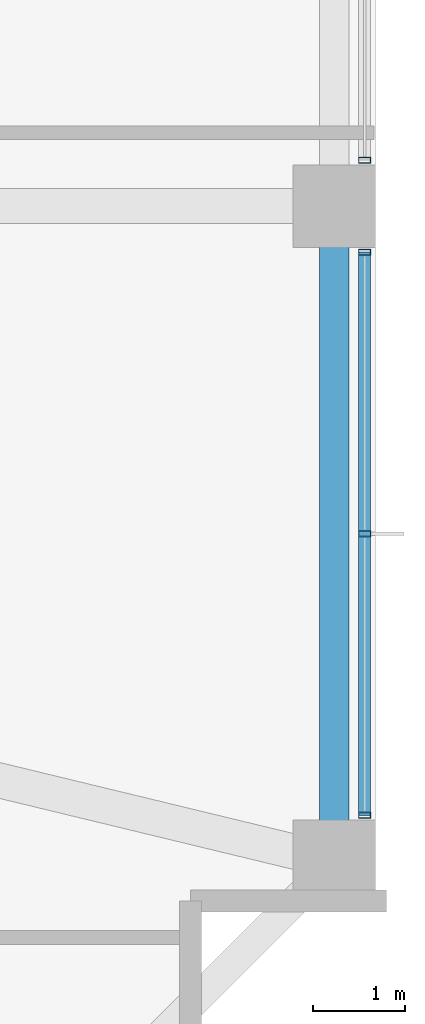
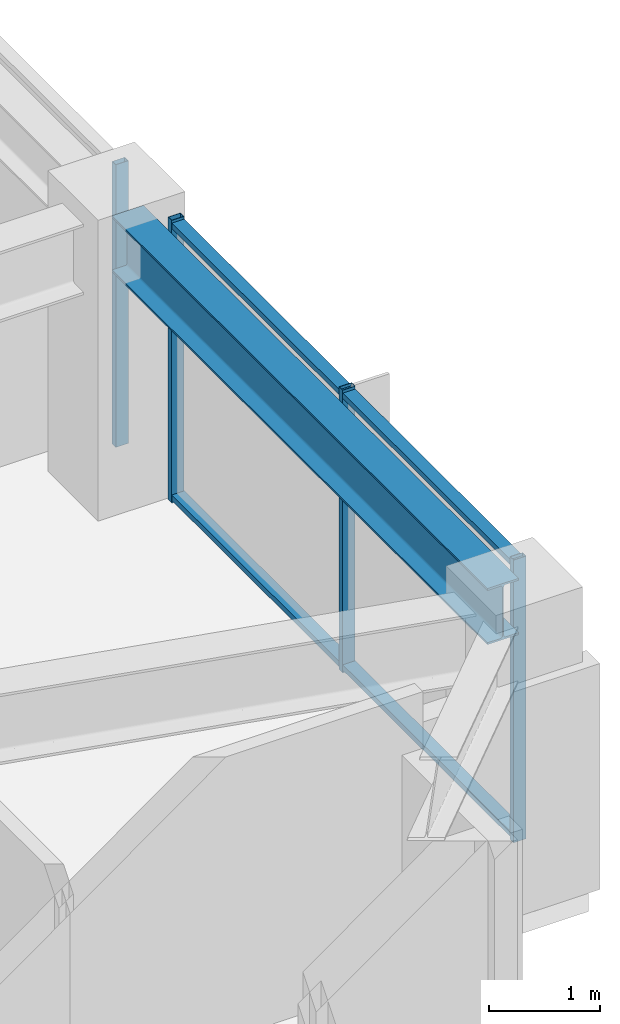
# One storey, part 13 of 31: 6 members, 1 beam, 2 elements without a shape of their own.
"""IFC4 building model written with IfcOpenShell, lengths in metres."""

from ifc_helpers import new_model, si_unit, direction, frame, origin, origin_2d, place, context, subcontext, project, spatial, hollow_rectangle, i_section, extrude, material, material_profile, profile_set, type_object, element, aggregate, save


model = new_model("IFC4")

# Units and contexts
model_context = context("Model", 3, precision=1e-05, world=origin(), true_north=direction((0.0, 1.0)))
body_context = subcontext(model_context, "Body", "Model", "MODEL_VIEW")
ifc_project = project(units=[si_unit("LENGTHUNIT", "METRE"), si_unit("AREAUNIT", "SQUARE_METRE"), si_unit("VOLUMEUNIT", "CUBIC_METRE"), si_unit("PLANEANGLEUNIT", "RADIAN"), si_unit("MASSUNIT", "GRAM", prefix="KILO")], contexts=[model_context])

# Site, building, storey
site_placement = place(None, origin())
site = spatial("IfcSite", under=ifc_project, at=site_placement, CompositionType="ELEMENT")
building_placement = place(site_placement, origin())
building = spatial("IfcBuilding", under=site, at=building_placement, Name="Kolvaren Belvedere", CompositionType="ELEMENT")
storey_placement = place(building_placement, frame((0.0, 0.0, 134.89990234375)))
storey = spatial("IfcBuildingStorey", under=building, at=storey_placement, Name="L39", CompositionType="ELEMENT", Elevation=134.89990234375)

# Beam
ifc_material_1 = material(Name="Structural steel ASTM A992 Grade 50", Category="steel")
ifc_material_profile_1 = material_profile(ifc_material_1, i_section(OverallWidth=0.324951171875, OverallDepth=0.615966796875, WebThickness=0.013916015625, FlangeThickness=0.021484375, FilletRadius=0.02001953125, at=origin_2d()), Name="W24X117")
ifc_profile_set_1 = profile_set([ifc_material_profile_1], Name="Structural steel ASTM A992 Grade 50")
beam_type = type_object("IfcBeamType", Name="BM-SPAN-W24X117", PredefinedType="SPANDREL", material=ifc_profile_set_1)
beam_placement = place(storey_placement, frame((17.550048828125, -11.547607421875, 2.7919921875), z_axis=(0.0, 1.0, 0.0), x_axis=(-1.0, 0.0, 0.0)))
element("IfcBeam", 1, at=beam_placement, inside=storey, type_object=beam_type, Name="L39 Perimeter Spandrel E1-E2", PredefinedType="SPANDREL", context=body_context, shape_type="SweptSolid", body=[
    extrude(i_section(OverallWidth=0.324951171875, OverallDepth=0.615966796875, WebThickness=0.013916015625, FlangeThickness=0.021484375, FilletRadius=0.02001953125, at=origin_2d()), origin(), (0.0, 0.0, 1.0), 6.7451171875),
])

# Curtain wall, member
ifc_material_2 = material(Name="Anodised pale-metal aluminium AA 6063-T6", Category="aluminium")
curtain_wall_type = type_object("IfcCurtainWallType", Name="CW-Z3-WAIST", PredefinedType="NOTDEFINED", material=ifc_material_2)
curtain_wall_1_placement = place(storey_placement, origin())
curtain_wall_1 = element("IfcCurtainWall", 2, at=curtain_wall_1_placement, inside=storey, type_object=curtain_wall_type, Name="L39 Unitised Curtain Wall FCW-L39-E-B2", PredefinedType="NOTDEFINED")
ifc_material_3 = material(Name="Anodised pale-metal aluminium AA 6063-T6", Category="aluminium")
ifc_material_profile_2 = material_profile(ifc_material_3, hollow_rectangle(XDim=0.06494140625, YDim=0.1298828125, WallThickness=0.00390625, at=origin_2d()), Name="ALU-MUL-130X65")
ifc_profile_set_2 = profile_set([ifc_material_profile_2], Name="Anodised pale-metal aluminium AA 6063-T6")
member_type_1 = type_object("IfcMemberType", Name="CW-MUL-130", PredefinedType="MULLION", material=ifc_profile_set_2)
member_1_placement = place(storey_placement, frame((17.8798828125, -4.097412109375, 0.0), z_axis=(0.0, 0.0, 1.0), x_axis=(0.0, 1.0, 0.0)))
member_1 = element("IfcMember", 3, at=member_1_placement, type_object=member_type_1, Name="FCW-L39-E-B2 Unitised Mullion 3", PredefinedType="MULLION", context=body_context, shape_type="SweptSolid", body=[
    extrude(hollow_rectangle(XDim=0.06494140625, YDim=0.1298828125, WallThickness=0.00390625, at=origin_2d()), origin(), (0.0, 0.0, 1.0), 3.10009765625),
])
aggregate(curtain_wall_1, [member_1])

# Curtain wall, members
curtain_wall_2_placement = place(storey_placement, origin())
curtain_wall_2 = element("IfcCurtainWall", 4, at=curtain_wall_2_placement, inside=storey, type_object=curtain_wall_type, Name="L39 Unitised Curtain Wall FCW-L39-E-B3", PredefinedType="NOTDEFINED")
member_2_placement = place(storey_placement, frame((17.8798828125, -5.1025390625, 0.0), z_axis=(0.0, 0.0, 1.0), x_axis=(0.0, 1.0, 0.0)))
member_2 = element("IfcMember", 5, at=member_2_placement, type_object=member_type_1, Name="FCW-L39-E-B3 Unitised Mullion 1", PredefinedType="MULLION", context=body_context, shape_type="SweptSolid", body=[
    extrude(hollow_rectangle(XDim=0.06494140625, YDim=0.1298828125, WallThickness=0.00390625, at=origin_2d()), origin(), (0.0, 0.0, 1.0), 3.10009765625),
])
member_3_placement = place(storey_placement, frame((17.8798828125, -8.175048828125, 0.0), z_axis=(0.0, 0.0, 1.0), x_axis=(0.0, 1.0, 0.0)))
member_3 = element("IfcMember", 6, at=member_3_placement, type_object=member_type_1, Name="FCW-L39-E-B3 Unitised Mullion 2", PredefinedType="MULLION", context=body_context, shape_type="SweptSolid", body=[
    extrude(hollow_rectangle(XDim=0.06494140625, YDim=0.1298828125, WallThickness=0.00390625, at=origin_2d()), origin(), (0.0, 0.0, 1.0), 3.10009765625),
])
member_4_placement = place(storey_placement, frame((17.8798828125, -11.24755859375, 0.0), z_axis=(0.0, 0.0, 1.0), x_axis=(0.0, 1.0, 0.0)))
member_4 = element("IfcMember", 7, at=member_4_placement, type_object=member_type_1, Name="FCW-L39-E-B3 Unitised Mullion 3", PredefinedType="MULLION", context=body_context, shape_type="SweptSolid", body=[
    extrude(hollow_rectangle(XDim=0.06494140625, YDim=0.1298828125, WallThickness=0.00390625, at=origin_2d()), origin(), (0.0, 0.0, 1.0), 3.10009765625),
])
ifc_material_4 = material(Name="Anodised pale-metal aluminium AA 6063-T6", Category="aluminium")
ifc_material_profile_3 = material_profile(ifc_material_4, hollow_rectangle(XDim=0.06005859375, YDim=0.1298828125, WallThickness=0.00390625, at=origin_2d()), Name="ALU-TRN-130X60")
ifc_profile_set_3 = profile_set([ifc_material_profile_3], Name="Anodised pale-metal aluminium AA 6063-T6")
member_type_2 = type_object("IfcMemberType", Name="CW-TRN-130", PredefinedType="USERDEFINED", material=ifc_profile_set_3)
member_5_placement = place(storey_placement, frame((17.8798828125, -5.1025390625, 0.06005859375), z_axis=(0.0, -1.0, 0.0), x_axis=(0.0, 0.0, 1.0)))
member_5 = element("IfcMember", 8, at=member_5_placement, type_object=member_type_2, Name="FCW-L39-E-B3 Sill Transom", ObjectType="TRANSOM", PredefinedType="USERDEFINED", context=body_context, shape_type="SweptSolid", body=[
    extrude(hollow_rectangle(XDim=0.06005859375, YDim=0.1298828125, WallThickness=0.00390625, at=origin_2d()), origin(), (0.0, 0.0, 1.0), 6.14501953125),
])
member_6_placement = place(storey_placement, frame((17.8798828125, -5.1025390625, 3.0400390625), z_axis=(0.0, -1.0, 0.0), x_axis=(0.0, 0.0, 1.0)))
member_6 = element("IfcMember", 9, at=member_6_placement, type_object=member_type_2, Name="FCW-L39-E-B3 Head Transom", ObjectType="TRANSOM", PredefinedType="USERDEFINED", context=body_context, shape_type="SweptSolid", body=[
    extrude(hollow_rectangle(XDim=0.06005859375, YDim=0.1298828125, WallThickness=0.00390625, at=origin_2d()), origin(), (0.0, 0.0, 1.0), 6.14501953125),
])
aggregate(curtain_wall_2, [member_2, member_3, member_4, member_5, member_6])

save(model, "model.ifc")
